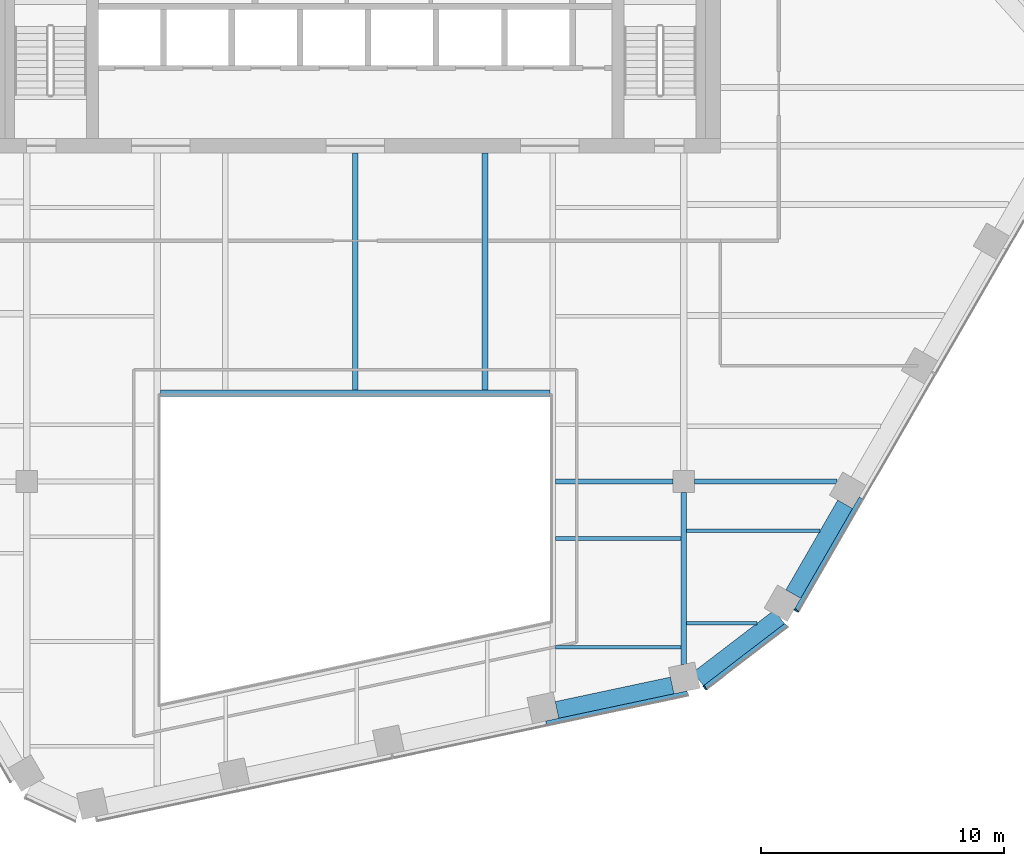
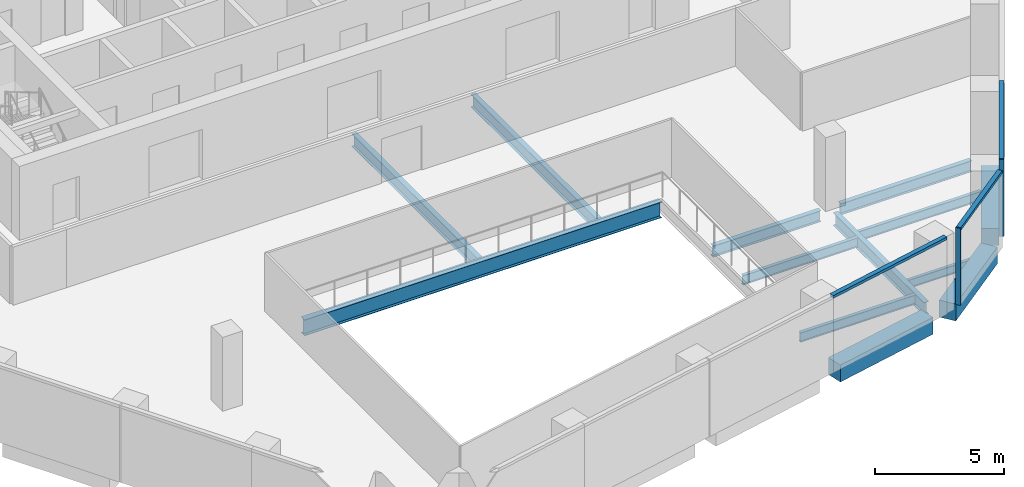
# One storey, part 4 of 15: 13 beams, 5 members, 3 elements without a shape of their own.
"""IFC4 building model written with IfcOpenShell, lengths in metres."""

from ifc_helpers import new_model, si_unit, direction, frame, origin, origin_2d, place, context, subcontext, project, spatial, rectangle, i_section, extrude, material, layer, layer_set, material_profile, profile_set, type_object, element, aggregate, save


model = new_model("IFC4")

# Units and contexts
model_context = context("Model", 3, precision=1e-05, world=origin(), true_north=direction((0.0, 1.0)))
body_context = subcontext(model_context, "Body", "Model", "MODEL_VIEW")
ifc_project = project(units=[si_unit("LENGTHUNIT", "METRE"), si_unit("AREAUNIT", "SQUARE_METRE"), si_unit("VOLUMEUNIT", "CUBIC_METRE"), si_unit("PLANEANGLEUNIT", "RADIAN"), si_unit("MASSUNIT", "GRAM", prefix="KILO")], contexts=[model_context])

# Site, building, storey
site_placement = place(None, origin())
site = spatial("IfcSite", under=ifc_project, at=site_placement, CompositionType="ELEMENT")
building_placement = place(site_placement, origin())
building = spatial("IfcBuilding", under=site, at=building_placement, Name="Isthmus Gate Tower", CompositionType="ELEMENT")
storey_placement = place(building_placement, frame((0.0, 0.0, 245.5)))
storey = spatial("IfcBuildingStorey", under=building, at=storey_placement, Name="L62", CompositionType="ELEMENT", Elevation=245.5)

# Curtain wall, member
ifc_material_1 = material(Name="Aluminium, pale champagne anodised", Category="aluminium")
ifc_layer = layer(ifc_material_1, 0.199951171875)
ifc_layer_set = layer_set([ifc_layer], Name="CW-1 UNITISED CURTAIN WALL 200 DEEP")
curtain_wall_type = type_object("IfcCurtainWallType", Name="CW-1 UNITISED CURTAIN WALL 200 DEEP", PredefinedType="NOTDEFINED", material=ifc_layer_set)
curtain_wall_1_placement = place(storey_placement, origin())
curtain_wall_1 = element("IfcCurtainWall", 1, at=curtain_wall_1_placement, inside=storey, type_object=curtain_wall_type, Name="CW-1 S-SE L62", PredefinedType="NOTDEFINED")
ifc_material_2 = material(Name="Aluminium, pale champagne anodised", Category="aluminium")
ifc_material_profile_1 = material_profile(ifc_material_2, rectangle(XDim=0.06005859375, YDim=0.199951171875, at=origin_2d()), Name="60x200")
ifc_profile_set_1 = profile_set([ifc_material_profile_1], Name="Aluminium, pale champagne anodised")
member_type_1 = type_object("IfcMemberType", Name="CW-1 MULLION 60 X 200", PredefinedType="MULLION", material=ifc_profile_set_1)
member_1_placement = place(storey_placement, frame((14.3720703125, -21.961669921875, 0.0), z_axis=(0.0, 0.0, 1.0), x_axis=(0.794188594387, 0.607671355706, 0.0)))
member_1 = element("IfcMember", 2, at=member_1_placement, type_object=member_type_1, Name="CW-1 mullion", PredefinedType="MULLION", context=body_context, shape_type="SweptSolid", body=[
    extrude(rectangle(XDim=0.06005859375, YDim=0.199951171875, at=origin_2d()), origin(), (0.0, 0.0, 1.0), 3.64990234375),
])

curtain_wall_2_placement = place(storey_placement, origin())
curtain_wall_2 = element("IfcCurtainWall", 3, at=curtain_wall_2_placement, inside=storey, type_object=curtain_wall_type, Name="CW-1 SE L62", PredefinedType="NOTDEFINED")
member_2_placement = place(storey_placement, frame((18.131591796875, -18.794921875, 0.0), z_axis=(0.0, 0.0, 1.0), x_axis=(0.5, 0.866025403784, 0.0)))
member_2 = element("IfcMember", 4, at=member_2_placement, type_object=member_type_1, Name="CW-1 mullion", PredefinedType="MULLION", context=body_context, shape_type="SweptSolid", body=[
    extrude(rectangle(XDim=0.06005859375, YDim=0.199951171875, at=origin_2d()), origin(), (0.0, 0.0, 1.0), 3.64990234375),
])

curtain_wall_3_placement = place(storey_placement, origin())
curtain_wall_3 = element("IfcCurtainWall", 5, at=curtain_wall_3_placement, inside=storey, type_object=curtain_wall_type, Name="CW-1 S L62", PredefinedType="NOTDEFINED")
ifc_material_3 = material(Name="Aluminium, pale champagne anodised", Category="aluminium")
ifc_material_profile_2 = material_profile(ifc_material_3, rectangle(XDim=0.199951171875, YDim=0.1298828125, at=origin_2d()), Name="200x130")
ifc_profile_set_2 = profile_set([ifc_material_profile_2], Name="Aluminium, pale champagne anodised")
member_type_2 = type_object("IfcMemberType", Name="CW-1 TRANSOM 200 X 130", PredefinedType="USERDEFINED", material=ifc_profile_set_2)
member_3_placement = place(storey_placement, frame((7.844970703125, -23.434814453125, 3.5849609375), z_axis=(0.978148616043, 0.207906914105, 0.0), x_axis=(-0.207906914105, 0.978148616043, 0.0)))
member_3 = element("IfcMember", 6, at=member_3_placement, type_object=member_type_2, Name="CW-1 transom", ObjectType="TRANSOM", PredefinedType="USERDEFINED", context=body_context, shape_type="SweptSolid", body=[
    extrude(rectangle(XDim=0.199951171875, YDim=0.1298828125, at=origin_2d()), origin(), (0.0, 0.0, 1.0), 5.94189453125),
])
aggregate(curtain_wall_3, [member_3])

# Member
member_4_placement = place(storey_placement, frame((14.39599609375, -21.943603515625, 3.5849609375), z_axis=(0.794175498212, 0.607688471209, 0.0), x_axis=(-0.607688471209, 0.794175498212, 0.0)))
member_4 = element("IfcMember", 7, at=member_4_placement, type_object=member_type_2, Name="CW-1 transom", ObjectType="TRANSOM", PredefinedType="USERDEFINED", context=body_context, shape_type="SweptSolid", body=[
    extrude(rectangle(XDim=0.199951171875, YDim=0.1298828125, at=origin_2d()), origin(), (0.0, 0.0, 1.0), 4.181396484375),
])

aggregate(curtain_wall_1, [member_1, member_4])

member_5_placement = place(storey_placement, frame((18.146728515625, -18.76904296875, 3.5849609375), z_axis=(0.499968318869, 0.866043694121, 0.0), x_axis=(-0.866043694121, 0.499968318869, 0.0)))
member_5 = element("IfcMember", 8, at=member_5_placement, type_object=member_type_2, Name="CW-1 transom", ObjectType="TRANSOM", PredefinedType="USERDEFINED", context=body_context, shape_type="SweptSolid", body=[
    extrude(rectangle(XDim=0.199951171875, YDim=0.1298828125, at=origin_2d()), origin(), (0.0, 0.0, 1.0), 5.300537109375),
])

aggregate(curtain_wall_2, [member_2, member_5])

# Beams
ifc_material_4 = material(Name="Concrete f'c 50 MPa", Category="concrete")
ifc_material_profile_3 = material_profile(ifc_material_4, rectangle(XDim=0.699951171875, YDim=0.800048828125, at=origin_2d()), Name="RC 700X800")
ifc_profile_set_3 = profile_set([ifc_material_profile_3], Name="Concrete f'c 50 MPa")
beam_type_1 = type_object("IfcBeamType", Name="RC SPANDREL 700 X 800", PredefinedType="SPANDREL", material=ifc_profile_set_3)
beam_1_placement = place(storey_placement, frame((20.13232421875, -14.429931640625, -0.39990234375), z_axis=(-0.500021719575, -0.866012863619, 0.0), x_axis=(0.866012863619, -0.500021719575, 0.0)))
element("IfcBeam", 9, at=beam_1_placement, inside=storey, type_object=beam_type_1, Name="str-spandrel-L62-09", PredefinedType="SPANDREL", context=body_context, shape_type="SweptSolid", body=[
    extrude(rectangle(XDim=0.699951171875, YDim=0.800048828125, at=origin_2d()), origin(), (0.0, 0.0, 1.0), 4.260498046875),
])
beam_2_placement = place(storey_placement, frame((17.4267578125, -19.057861328125, -0.39990234375), z_axis=(-0.794182771845, -0.60767896533, 0.0), x_axis=(0.60767896533, -0.794182771845, 0.0)))
element("IfcBeam", 10, at=beam_2_placement, inside=storey, type_object=beam_type_1, Name="str-spandrel-L62-10", PredefinedType="SPANDREL", context=body_context, shape_type="SweptSolid", body=[
    extrude(rectangle(XDim=0.699951171875, YDim=0.800048828125, at=origin_2d()), origin(), (0.0, 0.0, 1.0), 4.19677734375),
])
beam_3_placement = place(storey_placement, frame((13.025390625, -21.87353515625, -0.39990234375), z_axis=(-0.978151545833, -0.207893129722, 0.0), x_axis=(0.207893129722, -0.978151545833, 0.0)))
element("IfcBeam", 11, at=beam_3_placement, inside=storey, type_object=beam_type_1, Name="str-spandrel-L62-11", PredefinedType="SPANDREL", context=body_context, shape_type="SweptSolid", body=[
    extrude(rectangle(XDim=0.699951171875, YDim=0.800048828125, at=origin_2d()), origin(), (0.0, 0.0, 1.0), 4.841796875),
])
ifc_material_5 = material(Name="Structural steel ASTM A992 Gr 50", Category="steel")
ifc_material_profile_4 = material_profile(ifc_material_5, i_section(OverallWidth=0.1396484375, OverallDepth=0.4033203125, WebThickness=0.00634765625, FlangeThickness=0.010986328125, at=origin_2d()), Name="W16X31")
ifc_profile_set_4 = profile_set([ifc_material_profile_4], Name="Structural steel ASTM A992 Gr 50")
beam_type_2 = type_object("IfcBeamType", Name="STEEL FLOOR BEAM W16X31", PredefinedType="JOIST", material=ifc_profile_set_4)
beam_4_placement = place(storey_placement, frame((13.6142578125, -19.322998046875, -0.3515625), z_axis=(1.0, 0.0, 0.0), x_axis=(0.0, 1.0, 0.0)))
element("IfcBeam", 12, at=beam_4_placement, inside=storey, type_object=beam_type_2, Name="str-beam-L62-11-00", PredefinedType="JOIST", context=body_context, shape_type="SweptSolid", body=[
    extrude(i_section(OverallWidth=0.1396484375, OverallDepth=0.4033203125, WebThickness=0.00634765625, FlangeThickness=0.010986328125, at=origin_2d()), origin(), (0.0, 0.0, 1.0), 2.889892578125),
])
ifc_material_6 = material(Name="Structural steel ASTM A992 Gr 50", Category="steel")
ifc_material_profile_5 = material_profile(ifc_material_6, i_section(OverallWidth=0.15234375, OverallDepth=0.45068359375, WebThickness=0.0078125, FlangeThickness=0.010986328125, at=origin_2d()), Name="W18X35")
ifc_profile_set_5 = profile_set([ifc_material_profile_5], Name="Structural steel ASTM A992 Gr 50")
beam_type_3 = type_object("IfcBeamType", Name="STEEL FLOOR BEAM W18X35", PredefinedType="JOIST", material=ifc_profile_set_5)
for number, where, z_axis, x_axis, name in (
    (13, (8.228515625, -20.3046875, -0.37548828125), (1.0, 0.0, 0.0), (0.0, 1.0, 0.0), "str-beam-L62-09-00"),
    (14, (8.228515625, -15.838134765625, -0.37548828125), (1.0, 0.0, 0.0), (0.0, 1.0, 0.0), "str-beam-L62-09-01"),
):
    element("IfcBeam", number, at=place(storey_placement, frame(where, z_axis=z_axis, x_axis=x_axis)), inside=storey, type_object=beam_type_3, Name=name, PredefinedType="JOIST", context=body_context, shape_type="SweptSolid", body=[
        extrude(i_section(OverallWidth=0.15234375, OverallDepth=0.45068359375, WebThickness=0.0078125, FlangeThickness=0.010986328125, at=origin_2d()), origin(), (0.0, 0.0, 1.0), 5.1572265625),
    ])
beam_5_placement = place(storey_placement, frame((13.6142578125, -15.5107421875, -0.37548828125), z_axis=(1.0, 0.0, 0.0), x_axis=(0.0, 1.0, 0.0)))
element("IfcBeam", 15, at=beam_5_placement, inside=storey, type_object=beam_type_3, Name="str-beam-L62-11-01", PredefinedType="JOIST", context=body_context, shape_type="SweptSolid", body=[
    extrude(i_section(OverallWidth=0.15234375, OverallDepth=0.45068359375, WebThickness=0.0078125, FlangeThickness=0.010986328125, at=origin_2d()), origin(), (0.0, 0.0, 1.0), 5.48974609375),
])
ifc_material_7 = material(Name="Structural steel ASTM A992 Gr 50", Category="steel")
ifc_material_profile_6 = material_profile(ifc_material_7, i_section(OverallWidth=0.228515625, OverallDepth=0.603271484375, WebThickness=0.010986328125, FlangeThickness=0.014404296875, at=origin_2d()), Name="W24X68")
ifc_profile_set_6 = profile_set([ifc_material_profile_6], Name="Structural steel ASTM A992 Gr 50")
beam_type_4 = type_object("IfcBeamType", Name="STEEL FLOOR BEAM W24X68", PredefinedType="JOIST", material=ifc_profile_set_6)
for number, where, z_axis, x_axis, name in (
    (16, (0.0, -9.7333984375, -0.45166015625), (0.0, 1.0, 0.0), (-1.0, 0.0, 0.0), "str-beam-L62-07-01"),
    (17, (5.333251953125, -9.7333984375, -0.45166015625), (0.0, 1.0, 0.0), (-1.0, 0.0, 0.0), "str-beam-L62-07-02"),
):
    element("IfcBeam", number, at=place(storey_placement, frame(where, z_axis=z_axis, x_axis=x_axis)), inside=storey, type_object=beam_type_4, Name=name, PredefinedType="JOIST", context=body_context, shape_type="SweptSolid", body=[
        extrude(i_section(OverallWidth=0.228515625, OverallDepth=0.603271484375, WebThickness=0.010986328125, FlangeThickness=0.014404296875, at=origin_2d()), origin(), (0.0, 0.0, 1.0), 9.7333984375),
    ])
ifc_material_8 = material(Name="Structural steel ASTM A992 Gr 50", Category="steel")
ifc_material_profile_7 = material_profile(ifc_material_8, i_section(OverallWidth=0.20947265625, OverallDepth=0.533447265625, WebThickness=0.009521484375, FlangeThickness=0.015869140625, at=origin_2d()), Name="W21X62")
ifc_profile_set_7 = profile_set([ifc_material_profile_7], Name="Structural steel ASTM A992 Gr 50")
beam_type_5 = type_object("IfcBeamType", Name="STEEL GIRDER W21X62", PredefinedType="BEAM", material=ifc_profile_set_7)
beam_6_placement = place(storey_placement, frame((8.228515625, -13.5, -0.416748046875), z_axis=(1.0, 0.0, 0.0), x_axis=(0.0, 1.0, 0.0)))
element("IfcBeam", 18, at=beam_6_placement, inside=storey, type_object=beam_type_5, Name="str-girder-L62-03", PredefinedType="BEAM", context=body_context, shape_type="SweptSolid", body=[
    extrude(i_section(OverallWidth=0.20947265625, OverallDepth=0.533447265625, WebThickness=0.009521484375, FlangeThickness=0.015869140625, at=origin_2d()), origin(), (0.0, 0.0, 1.0), 4.821533203125),
])
beam_7_placement = place(storey_placement, frame((13.949951171875, -13.5, -0.416748046875), z_axis=(1.0, 0.0, 0.0), x_axis=(0.0, 1.0, 0.0)))
element("IfcBeam", 19, at=beam_7_placement, inside=storey, type_object=beam_type_5, Name="str-girder-L62-04", PredefinedType="BEAM", context=body_context, shape_type="SweptSolid", body=[
    extrude(i_section(OverallWidth=0.20947265625, OverallDepth=0.533447265625, WebThickness=0.009521484375, FlangeThickness=0.015869140625, at=origin_2d()), origin(), (0.0, 0.0, 1.0), 5.853271484375),
])
ifc_material_9 = material(Name="Structural steel ASTM A992 Gr 50", Category="steel")
ifc_material_profile_8 = material_profile(ifc_material_9, i_section(OverallWidth=0.228515625, OverallDepth=0.603271484375, WebThickness=0.010986328125, FlangeThickness=0.014404296875, at=origin_2d()), Name="W24X68")
ifc_profile_set_8 = profile_set([ifc_material_profile_8], Name="Structural steel ASTM A992 Gr 50")
beam_type_6 = type_object("IfcBeamType", Name="STEEL GIRDER W24X68", PredefinedType="BEAM", material=ifc_profile_set_8)
beam_8_placement = place(storey_placement, frame((13.5, -21.005859375, -0.45166015625), z_axis=(0.0, 1.0, 0.0), x_axis=(-1.0, 0.0, 0.0)))
element("IfcBeam", 20, at=beam_8_placement, inside=storey, type_object=beam_type_6, Name="str-girder-L62-07", PredefinedType="BEAM", context=body_context, shape_type="SweptSolid", body=[
    extrude(i_section(OverallWidth=0.228515625, OverallDepth=0.603271484375, WebThickness=0.010986328125, FlangeThickness=0.014404296875, at=origin_2d()), origin(), (0.0, 0.0, 1.0), 7.055908203125),
])
ifc_material_10 = material(Name="Structural steel ASTM A992 Gr 50", Category="steel")
ifc_material_profile_9 = material_profile(ifc_material_10, i_section(OverallWidth=0.2666015625, OverallDepth=0.7587890625, WebThickness=0.014404296875, FlangeThickness=0.01904296875, at=origin_2d()), Name="W30X108")
ifc_profile_set_9 = profile_set([ifc_material_profile_9], Name="Structural steel ASTM A992 Gr 50")
beam_type_7 = type_object("IfcBeamType", Name="STEEL TRIMMER W30X108", PredefinedType="BEAM", material=ifc_profile_set_9)
beam_9_placement = place(storey_placement, frame((8.0, -9.86669921875, -0.529296875), z_axis=(-1.0, 0.0, 0.0), x_axis=(0.0, -1.0, 0.0)))
element("IfcBeam", 21, at=beam_9_placement, inside=storey, type_object=beam_type_7, Name="str-trimmer-L62-04", PredefinedType="BEAM", context=body_context, shape_type="SweptSolid", body=[
    extrude(i_section(OverallWidth=0.2666015625, OverallDepth=0.7587890625, WebThickness=0.014404296875, FlangeThickness=0.01904296875, at=origin_2d()), origin(), (0.0, 0.0, 1.0), 16.0),
])

save(model, "model.ifc")
